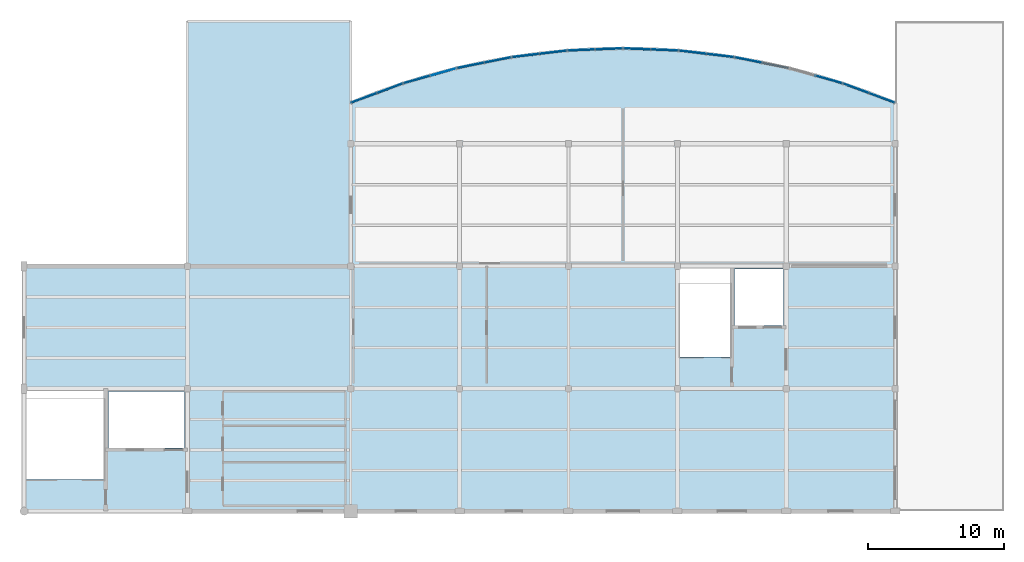
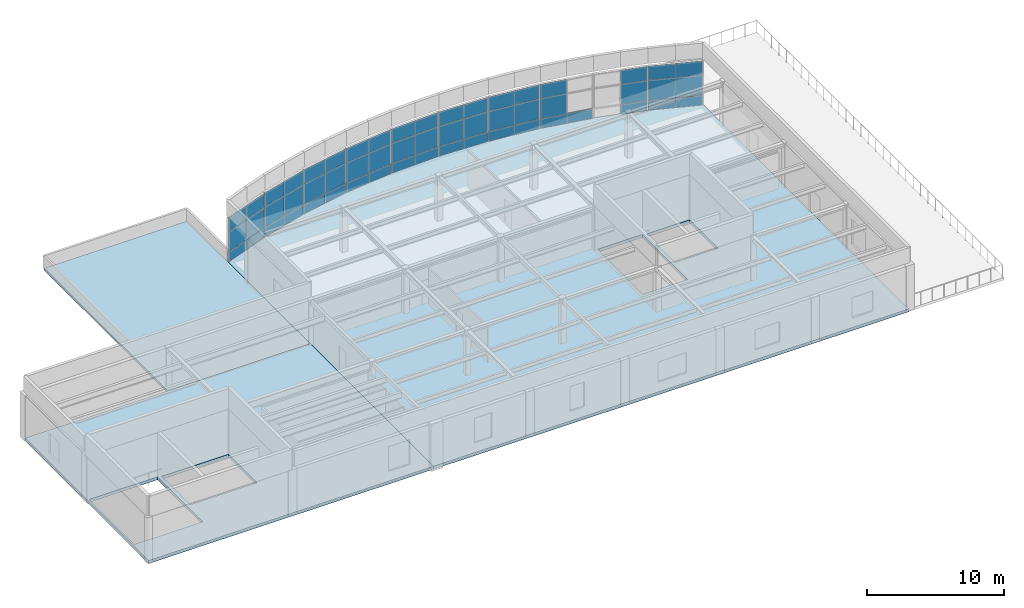
# One storey, part 5 of 9: 55 plates, 3 slabs, 10 elements without a shape of their own.
"""IFC4 building model written with IfcOpenShell, lengths in metres."""

from ifc_helpers import new_model, si_unit, direction, frame, origin, origin_2d, place, context, subcontext, project, spatial, polyline, rectangle, outline, extrude, material, layer, layer_set, type_object, element, aggregate, save


model = new_model("IFC4")

# Units and contexts
model_context = context("Model", 3, precision=1e-05, world=origin(), true_north=direction((0.0, 1.0)))
body_context = subcontext(model_context, "Body", "Model", "MODEL_VIEW")
ifc_project = project(units=[si_unit("LENGTHUNIT", "METRE"), si_unit("AREAUNIT", "SQUARE_METRE"), si_unit("VOLUMEUNIT", "CUBIC_METRE"), si_unit("PLANEANGLEUNIT", "RADIAN"), si_unit("MASSUNIT", "GRAM", prefix="KILO")], contexts=[model_context])

# Site, building, storey
site_placement = place(None, origin())
site = spatial("IfcSite", under=ifc_project, at=site_placement, CompositionType="ELEMENT")
building_placement = place(site_placement, origin())
building = spatial("IfcBuilding", under=site, at=building_placement, Name="Keelwater Ferry Terminal", CompositionType="ELEMENT")
storey_placement = place(building_placement, frame((0.0, 0.0, 23.699951171875)))
storey = spatial("IfcBuildingStorey", under=building, at=storey_placement, Name="L05", CompositionType="ELEMENT", Elevation=23.699951171875)

# Curtain wall, plates
ifc_material_1 = material(Name="Thermally broken unitised aluminium and triple glass", Category="aluminium")
ifc_layer_1 = layer(ifc_material_1, 0.179931640625)
ifc_layer_set_1 = layer_set([ifc_layer_1], Name="Thermally broken unitised aluminium and triple glass")
curtain_wall_type = type_object("IfcCurtainWallType", Name="CW-24 Unitised Curtain Wall 4015x3900", PredefinedType="USERDEFINED", material=ifc_layer_set_1)
curtain_wall_1_placement = place(storey_placement, origin())
curtain_wall_1 = element("IfcCurtainWall", 1, at=curtain_wall_1_placement, inside=storey, type_object=curtain_wall_type, Name="Unitised Curtain Wall CW-L05-223", ObjectType="UNITISED CURTAIN WALL", PredefinedType="USERDEFINED")
ifc_material_2 = material(Name="Insulated terracotta shadow-box spandrel", Category="masonry")
ifc_layer_2 = layer(ifc_material_2, 0.110107421875)
ifc_layer_set_2 = layer_set([ifc_layer_2], Name="Insulated terracotta shadow-box spandrel")
plate_type_1 = type_object("IfcPlateType", Name="CWP-S3 Insulated Spandrel Panel 110", PredefinedType="CURTAIN_PANEL", material=ifc_layer_set_2)
plate_1_placement = place(storey_placement, frame((171.01708984375, 120.364990234375, 0.0), z_axis=(0.0, 0.0, 1.0), x_axis=(-0.937592418253, 0.347736189136, 0.0)))
plate_1 = element("IfcPlate", 2, at=plate_1_placement, type_object=plate_type_1, Name="CW-L05-223 Panel 1.1", PredefinedType="CURTAIN_PANEL", context=body_context, shape_type="SweptSolid", body=[
    extrude(rectangle(XDim=2.00732421875, YDim=0.110107421875, at=origin_2d()), origin(), (0.0, 0.0, 1.0), 0.85009765625),
])
plate_2_placement = place(storey_placement, frame((169.135009765625, 121.06298828125, 0.0), z_axis=(0.0, 0.0, 1.0), x_axis=(-0.937592418253, 0.347736189136, 0.0)))
plate_2 = element("IfcPlate", 3, at=plate_2_placement, type_object=plate_type_1, Name="CW-L05-223 Panel 2.1", PredefinedType="CURTAIN_PANEL", context=body_context, shape_type="SweptSolid", body=[
    extrude(rectangle(XDim=2.00732421875, YDim=0.110107421875, at=origin_2d()), origin(), (0.0, 0.0, 1.0), 0.85009765625),
])

# Curtain wall, plate
curtain_wall_2_placement = place(storey_placement, origin())
curtain_wall_2 = element("IfcCurtainWall", 4, at=curtain_wall_2_placement, inside=storey, type_object=curtain_wall_type, Name="Unitised Curtain Wall CW-L05-224", ObjectType="UNITISED CURTAIN WALL", PredefinedType="USERDEFINED")
plate_3_placement = place(storey_placement, frame((167.143310546875, 121.714111328125, 0.0), z_axis=(0.0, 0.0, 1.0), x_axis=(-0.962029778706, 0.272944508797, 0.0)))
plate_3 = element("IfcPlate", 5, at=plate_3_placement, type_object=plate_type_1, Name="CW-L05-224 Panel 1.1", PredefinedType="CURTAIN_PANEL", context=body_context, shape_type="SweptSolid", body=[
    extrude(rectangle(XDim=2.0078125, YDim=0.110107421875, at=origin_2d()), origin(), (0.0, 0.0, 1.0), 0.85009765625),
])

# Curtain wall, plates
curtain_wall_3_placement = place(storey_placement, origin())
curtain_wall_3 = element("IfcCurtainWall", 6, at=curtain_wall_3_placement, inside=storey, type_object=curtain_wall_type, Name="Unitised Curtain Wall CW-L05-225", ObjectType="UNITISED CURTAIN WALL", PredefinedType="USERDEFINED")
plate_4_placement = place(storey_placement, frame((163.1748046875, 122.753662109375, 0.0), z_axis=(0.0, 0.0, 1.0), x_axis=(-0.98059983046, 0.196020336958, 0.0)))
plate_4 = element("IfcPlate", 7, at=plate_4_placement, type_object=plate_type_1, Name="CW-L05-225 Panel 1.1", PredefinedType="CURTAIN_PANEL", context=body_context, shape_type="SweptSolid", body=[
    extrude(rectangle(XDim=2.00732421875, YDim=0.110107421875, at=origin_2d()), origin(), (0.0, 0.0, 1.0), 0.85009765625),
])
plate_5_placement = place(storey_placement, frame((161.206298828125, 123.147216796875, 0.0), z_axis=(0.0, 0.0, 1.0), x_axis=(-0.98059983046, 0.196020336958, 0.0)))
plate_5 = element("IfcPlate", 8, at=plate_5_placement, type_object=plate_type_1, Name="CW-L05-225 Panel 2.1", PredefinedType="CURTAIN_PANEL", context=body_context, shape_type="SweptSolid", body=[
    extrude(rectangle(XDim=2.00732421875, YDim=0.110107421875, at=origin_2d()), origin(), (0.0, 0.0, 1.0), 0.85009765625),
])

curtain_wall_4_placement = place(storey_placement, origin())
curtain_wall_4 = element("IfcCurtainWall", 9, at=curtain_wall_4_placement, inside=storey, type_object=curtain_wall_type, Name="Unitised Curtain Wall CW-L05-226", ObjectType="UNITISED CURTAIN WALL", PredefinedType="USERDEFINED")
plate_6_placement = place(storey_placement, frame((159.136474609375, 123.476806640625, 0.0), z_axis=(0.0, 0.0, 1.0), x_axis=(-0.992974342459, 0.118329857676, 0.0)))
plate_6 = element("IfcPlate", 10, at=plate_6_placement, type_object=plate_type_1, Name="CW-L05-226 Panel 1.1", PredefinedType="CURTAIN_PANEL", context=body_context, shape_type="SweptSolid", body=[
    extrude(rectangle(XDim=2.007080078125, YDim=0.110107421875, at=origin_2d()), origin(), (0.0, 0.0, 1.0), 0.85009765625),
])
plate_7_placement = place(storey_placement, frame((157.1435546875, 123.71435546875, 0.0), z_axis=(0.0, 0.0, 1.0), x_axis=(-0.992974342459, 0.118329857676, 0.0)))
plate_7 = element("IfcPlate", 11, at=plate_7_placement, type_object=plate_type_1, Name="CW-L05-226 Panel 2.1", PredefinedType="CURTAIN_PANEL", context=body_context, shape_type="SweptSolid", body=[
    extrude(rectangle(XDim=2.007080078125, YDim=0.110107421875, at=origin_2d()), origin(), (0.0, 0.0, 1.0), 0.85009765625),
])

curtain_wall_5_placement = place(storey_placement, origin())
curtain_wall_5 = element("IfcCurtainWall", 12, at=curtain_wall_5_placement, inside=storey, type_object=curtain_wall_type, Name="Unitised Curtain Wall CW-L05-227", ObjectType="UNITISED CURTAIN WALL", PredefinedType="USERDEFINED")
plate_8_placement = place(storey_placement, frame((155.053955078125, 123.87939453125, 0.0), z_axis=(0.0, 0.0, 1.0), x_axis=(-0.999225435626, 0.039351350652, 0.0)))
plate_8 = element("IfcPlate", 13, at=plate_8_placement, type_object=plate_type_1, Name="CW-L05-227 Panel 1.1", PredefinedType="CURTAIN_PANEL", context=body_context, shape_type="SweptSolid", body=[
    extrude(rectangle(XDim=2.007568359375, YDim=0.110107421875, at=origin_2d()), origin(), (0.0, 0.0, 1.0), 0.85009765625),
])
plate_9_placement = place(storey_placement, frame((153.048095703125, 123.95849609375, 0.0), z_axis=(0.0, 0.0, 1.0), x_axis=(-0.999225435626, 0.039351350652, 0.0)))
plate_9 = element("IfcPlate", 14, at=plate_9_placement, type_object=plate_type_1, Name="CW-L05-227 Panel 2.1", PredefinedType="CURTAIN_PANEL", context=body_context, shape_type="SweptSolid", body=[
    extrude(rectangle(XDim=2.007568359375, YDim=0.110107421875, at=origin_2d()), origin(), (0.0, 0.0, 1.0), 0.85009765625),
])

curtain_wall_6_placement = place(storey_placement, origin())
curtain_wall_6 = element("IfcCurtainWall", 15, at=curtain_wall_6_placement, inside=storey, type_object=curtain_wall_type, Name="Unitised Curtain Wall CW-L05-228", ObjectType="UNITISED CURTAIN WALL", PredefinedType="USERDEFINED")
plate_10_placement = place(storey_placement, frame((150.951904296875, 123.95849609375, 0.0), z_axis=(0.0, 0.0, 1.0), x_axis=(-0.999225435626, -0.039351350652, 0.0)))
plate_10 = element("IfcPlate", 16, at=plate_10_placement, type_object=plate_type_1, Name="CW-L05-228 Panel 1.1", PredefinedType="CURTAIN_PANEL", context=body_context, shape_type="SweptSolid", body=[
    extrude(rectangle(XDim=2.007568359375, YDim=0.110107421875, at=origin_2d()), origin(), (0.0, 0.0, 1.0), 0.85009765625),
])
plate_11_placement = place(storey_placement, frame((148.946044921875, 123.87939453125, 0.0), z_axis=(0.0, 0.0, 1.0), x_axis=(-0.999225435626, -0.039351350652, 0.0)))
plate_11 = element("IfcPlate", 17, at=plate_11_placement, type_object=plate_type_1, Name="CW-L05-228 Panel 2.1", PredefinedType="CURTAIN_PANEL", context=body_context, shape_type="SweptSolid", body=[
    extrude(rectangle(XDim=2.007568359375, YDim=0.110107421875, at=origin_2d()), origin(), (0.0, 0.0, 1.0), 0.85009765625),
])

curtain_wall_7_placement = place(storey_placement, origin())
curtain_wall_7 = element("IfcCurtainWall", 18, at=curtain_wall_7_placement, inside=storey, type_object=curtain_wall_type, Name="Unitised Curtain Wall CW-L05-229", ObjectType="UNITISED CURTAIN WALL", PredefinedType="USERDEFINED")
plate_12_placement = place(storey_placement, frame((146.8564453125, 123.71435546875, 0.0), z_axis=(0.0, 0.0, 1.0), x_axis=(-0.992974342459, -0.118329857676, 0.0)))
plate_12 = element("IfcPlate", 19, at=plate_12_placement, type_object=plate_type_1, Name="CW-L05-229 Panel 1.1", PredefinedType="CURTAIN_PANEL", context=body_context, shape_type="SweptSolid", body=[
    extrude(rectangle(XDim=2.007080078125, YDim=0.110107421875, at=origin_2d()), origin(), (0.0, 0.0, 1.0), 0.85009765625),
])
plate_13_placement = place(storey_placement, frame((144.863525390625, 123.476806640625, 0.0), z_axis=(0.0, 0.0, 1.0), x_axis=(-0.992974342459, -0.118329857676, 0.0)))
plate_13 = element("IfcPlate", 20, at=plate_13_placement, type_object=plate_type_1, Name="CW-L05-229 Panel 2.1", PredefinedType="CURTAIN_PANEL", context=body_context, shape_type="SweptSolid", body=[
    extrude(rectangle(XDim=2.007080078125, YDim=0.110107421875, at=origin_2d()), origin(), (0.0, 0.0, 1.0), 0.85009765625),
])

curtain_wall_8_placement = place(storey_placement, origin())
curtain_wall_8 = element("IfcCurtainWall", 21, at=curtain_wall_8_placement, inside=storey, type_object=curtain_wall_type, Name="Unitised Curtain Wall CW-L05-230", ObjectType="UNITISED CURTAIN WALL", PredefinedType="USERDEFINED")
plate_14_placement = place(storey_placement, frame((142.793701171875, 123.147216796875, 0.0), z_axis=(0.0, 0.0, 1.0), x_axis=(-0.98059983046, -0.196020336958, 0.0)))
plate_14 = element("IfcPlate", 22, at=plate_14_placement, type_object=plate_type_1, Name="CW-L05-230 Panel 1.1", PredefinedType="CURTAIN_PANEL", context=body_context, shape_type="SweptSolid", body=[
    extrude(rectangle(XDim=2.00732421875, YDim=0.110107421875, at=origin_2d()), origin(), (0.0, 0.0, 1.0), 0.85009765625),
])
plate_15_placement = place(storey_placement, frame((140.8251953125, 122.753662109375, 0.0), z_axis=(0.0, 0.0, 1.0), x_axis=(-0.98059983046, -0.196020336958, 0.0)))
plate_15 = element("IfcPlate", 23, at=plate_15_placement, type_object=plate_type_1, Name="CW-L05-230 Panel 2.1", PredefinedType="CURTAIN_PANEL", context=body_context, shape_type="SweptSolid", body=[
    extrude(rectangle(XDim=2.00732421875, YDim=0.110107421875, at=origin_2d()), origin(), (0.0, 0.0, 1.0), 0.85009765625),
])

curtain_wall_9_placement = place(storey_placement, origin())
curtain_wall_9 = element("IfcCurtainWall", 24, at=curtain_wall_9_placement, inside=storey, type_object=curtain_wall_type, Name="Unitised Curtain Wall CW-L05-231", ObjectType="UNITISED CURTAIN WALL", PredefinedType="USERDEFINED")
plate_16_placement = place(storey_placement, frame((138.788330078125, 122.261962890625, 0.0), z_axis=(0.0, 0.0, 1.0), x_axis=(-0.962029778706, -0.272944508797, 0.0)))
plate_16 = element("IfcPlate", 25, at=plate_16_placement, type_object=plate_type_1, Name="CW-L05-231 Panel 1.1", PredefinedType="CURTAIN_PANEL", context=body_context, shape_type="SweptSolid", body=[
    extrude(rectangle(XDim=2.0078125, YDim=0.110107421875, at=origin_2d()), origin(), (0.0, 0.0, 1.0), 0.85009765625),
])
plate_17_placement = place(storey_placement, frame((136.856689453125, 121.714111328125, 0.0), z_axis=(0.0, 0.0, 1.0), x_axis=(-0.962029778706, -0.272944508797, 0.0)))
plate_17 = element("IfcPlate", 26, at=plate_17_placement, type_object=plate_type_1, Name="CW-L05-231 Panel 2.1", PredefinedType="CURTAIN_PANEL", context=body_context, shape_type="SweptSolid", body=[
    extrude(rectangle(XDim=2.0078125, YDim=0.110107421875, at=origin_2d()), origin(), (0.0, 0.0, 1.0), 0.85009765625),
])

curtain_wall_10_placement = place(storey_placement, origin())
curtain_wall_10 = element("IfcCurtainWall", 27, at=curtain_wall_10_placement, inside=storey, type_object=curtain_wall_type, Name="Unitised Curtain Wall CW-L05-232", ObjectType="UNITISED CURTAIN WALL", PredefinedType="USERDEFINED")
plate_18_placement = place(storey_placement, frame((134.864990234375, 121.06298828125, 0.0), z_axis=(0.0, 0.0, 1.0), x_axis=(-0.937592418253, -0.347736189136, 0.0)))
plate_18 = element("IfcPlate", 28, at=plate_18_placement, type_object=plate_type_1, Name="CW-L05-232 Panel 1.1", PredefinedType="CURTAIN_PANEL", context=body_context, shape_type="SweptSolid", body=[
    extrude(rectangle(XDim=2.00732421875, YDim=0.110107421875, at=origin_2d()), origin(), (0.0, 0.0, 1.0), 0.85009765625),
])
plate_19_placement = place(storey_placement, frame((132.98291015625, 120.364990234375, 0.0), z_axis=(0.0, 0.0, 1.0), x_axis=(-0.937592418253, -0.347736189136, 0.0)))
plate_19 = element("IfcPlate", 29, at=plate_19_placement, type_object=plate_type_1, Name="CW-L05-232 Panel 2.1", PredefinedType="CURTAIN_PANEL", context=body_context, shape_type="SweptSolid", body=[
    extrude(rectangle(XDim=2.00732421875, YDim=0.110107421875, at=origin_2d()), origin(), (0.0, 0.0, 1.0), 0.85009765625),
])

# Plate
ifc_material_3 = material(Name="Triple low-E laminated glass", Category="glass")
ifc_layer_3 = layer(ifc_material_3, 0.035888671875)
ifc_layer_set_3 = layer_set([ifc_layer_3], Name="Triple low-E laminated glass")
plate_type_2 = type_object("IfcPlateType", Name="CWP-V1 Glazed Vision Panel 36", PredefinedType="CURTAIN_PANEL", material=ifc_layer_set_3)
plate_20_placement = place(storey_placement, frame((171.01708984375, 120.364990234375, 0.85009765625), z_axis=(0.0, 0.0, 1.0), x_axis=(-0.937592418253, 0.347736189136, 0.0)))
plate_20 = element("IfcPlate", 30, at=plate_20_placement, type_object=plate_type_2, Name="CW-L05-223 Panel 1.2", PredefinedType="CURTAIN_PANEL", context=body_context, shape_type="SweptSolid", body=[
    extrude(rectangle(XDim=2.00732421875, YDim=0.035888671875, at=origin_2d()), origin(), (0.0, 0.0, 1.0), 1.800048828125),
])

plate_21_placement = place(storey_placement, frame((171.01708984375, 120.364990234375, 2.650146484375), z_axis=(0.0, 0.0, 1.0), x_axis=(-0.937592418253, 0.347736189136, 0.0)))
plate_21 = element("IfcPlate", 31, at=plate_21_placement, type_object=plate_type_2, Name="CW-L05-223 Panel 1.3", PredefinedType="CURTAIN_PANEL", context=body_context, shape_type="SweptSolid", body=[
    extrude(rectangle(XDim=2.00732421875, YDim=0.035888671875, at=origin_2d()), origin(), (0.0, 0.0, 1.0), 1.25),
])

plate_22_placement = place(storey_placement, frame((169.135009765625, 121.06298828125, 0.85009765625), z_axis=(0.0, 0.0, 1.0), x_axis=(-0.937592418253, 0.347736189136, 0.0)))
plate_22 = element("IfcPlate", 32, at=plate_22_placement, type_object=plate_type_2, Name="CW-L05-223 Panel 2.2", PredefinedType="CURTAIN_PANEL", context=body_context, shape_type="SweptSolid", body=[
    extrude(rectangle(XDim=2.00732421875, YDim=0.035888671875, at=origin_2d()), origin(), (0.0, 0.0, 1.0), 1.800048828125),
])

plate_23_placement = place(storey_placement, frame((169.135009765625, 121.06298828125, 2.650146484375), z_axis=(0.0, 0.0, 1.0), x_axis=(-0.937592418253, 0.347736189136, 0.0)))
plate_23 = element("IfcPlate", 33, at=plate_23_placement, type_object=plate_type_2, Name="CW-L05-223 Panel 2.3", PredefinedType="CURTAIN_PANEL", context=body_context, shape_type="SweptSolid", body=[
    extrude(rectangle(XDim=2.00732421875, YDim=0.035888671875, at=origin_2d()), origin(), (0.0, 0.0, 1.0), 1.25),
])

aggregate(curtain_wall_1, [plate_1, plate_20, plate_21, plate_2, plate_22, plate_23])

plate_24_placement = place(storey_placement, frame((167.143310546875, 121.714111328125, 0.85009765625), z_axis=(0.0, 0.0, 1.0), x_axis=(-0.962029778706, 0.272944508797, 0.0)))
plate_24 = element("IfcPlate", 34, at=plate_24_placement, type_object=plate_type_2, Name="CW-L05-224 Panel 1.2", PredefinedType="CURTAIN_PANEL", context=body_context, shape_type="SweptSolid", body=[
    extrude(rectangle(XDim=2.0078125, YDim=0.035888671875, at=origin_2d()), origin(), (0.0, 0.0, 1.0), 1.800048828125),
])

plate_25_placement = place(storey_placement, frame((167.143310546875, 121.714111328125, 2.650146484375), z_axis=(0.0, 0.0, 1.0), x_axis=(-0.962029778706, 0.272944508797, 0.0)))
plate_25 = element("IfcPlate", 35, at=plate_25_placement, type_object=plate_type_2, Name="CW-L05-224 Panel 1.3", PredefinedType="CURTAIN_PANEL", context=body_context, shape_type="SweptSolid", body=[
    extrude(rectangle(XDim=2.0078125, YDim=0.035888671875, at=origin_2d()), origin(), (0.0, 0.0, 1.0), 1.25),
])

aggregate(curtain_wall_2, [plate_3, plate_24, plate_25])

plate_26_placement = place(storey_placement, frame((161.206298828125, 123.147216796875, 0.85009765625), z_axis=(0.0, 0.0, 1.0), x_axis=(-0.98059983046, 0.196020336958, 0.0)))
plate_26 = element("IfcPlate", 36, at=plate_26_placement, type_object=plate_type_2, Name="CW-L05-225 Panel 2.2", PredefinedType="CURTAIN_PANEL", context=body_context, shape_type="SweptSolid", body=[
    extrude(rectangle(XDim=2.00732421875, YDim=0.035888671875, at=origin_2d()), origin(), (0.0, 0.0, 1.0), 1.800048828125),
])

plate_27_placement = place(storey_placement, frame((161.206298828125, 123.147216796875, 2.650146484375), z_axis=(0.0, 0.0, 1.0), x_axis=(-0.98059983046, 0.196020336958, 0.0)))
plate_27 = element("IfcPlate", 37, at=plate_27_placement, type_object=plate_type_2, Name="CW-L05-225 Panel 2.3", PredefinedType="CURTAIN_PANEL", context=body_context, shape_type="SweptSolid", body=[
    extrude(rectangle(XDim=2.00732421875, YDim=0.035888671875, at=origin_2d()), origin(), (0.0, 0.0, 1.0), 1.25),
])

aggregate(curtain_wall_3, [plate_4, plate_5, plate_26, plate_27])

plate_28_placement = place(storey_placement, frame((159.136474609375, 123.476806640625, 0.85009765625), z_axis=(0.0, 0.0, 1.0), x_axis=(-0.992974342459, 0.118329857676, 0.0)))
plate_28 = element("IfcPlate", 38, at=plate_28_placement, type_object=plate_type_2, Name="CW-L05-226 Panel 1.2", PredefinedType="CURTAIN_PANEL", context=body_context, shape_type="SweptSolid", body=[
    extrude(rectangle(XDim=2.007080078125, YDim=0.035888671875, at=origin_2d()), origin(), (0.0, 0.0, 1.0), 1.800048828125),
])

plate_29_placement = place(storey_placement, frame((159.136474609375, 123.476806640625, 2.650146484375), z_axis=(0.0, 0.0, 1.0), x_axis=(-0.992974342459, 0.118329857676, 0.0)))
plate_29 = element("IfcPlate", 39, at=plate_29_placement, type_object=plate_type_2, Name="CW-L05-226 Panel 1.3", PredefinedType="CURTAIN_PANEL", context=body_context, shape_type="SweptSolid", body=[
    extrude(rectangle(XDim=2.007080078125, YDim=0.035888671875, at=origin_2d()), origin(), (0.0, 0.0, 1.0), 1.25),
])

plate_30_placement = place(storey_placement, frame((157.1435546875, 123.71435546875, 0.85009765625), z_axis=(0.0, 0.0, 1.0), x_axis=(-0.992974342459, 0.118329857676, 0.0)))
plate_30 = element("IfcPlate", 40, at=plate_30_placement, type_object=plate_type_2, Name="CW-L05-226 Panel 2.2", PredefinedType="CURTAIN_PANEL", context=body_context, shape_type="SweptSolid", body=[
    extrude(rectangle(XDim=2.007080078125, YDim=0.035888671875, at=origin_2d()), origin(), (0.0, 0.0, 1.0), 1.800048828125),
])

plate_31_placement = place(storey_placement, frame((157.1435546875, 123.71435546875, 2.650146484375), z_axis=(0.0, 0.0, 1.0), x_axis=(-0.992974342459, 0.118329857676, 0.0)))
plate_31 = element("IfcPlate", 41, at=plate_31_placement, type_object=plate_type_2, Name="CW-L05-226 Panel 2.3", PredefinedType="CURTAIN_PANEL", context=body_context, shape_type="SweptSolid", body=[
    extrude(rectangle(XDim=2.007080078125, YDim=0.035888671875, at=origin_2d()), origin(), (0.0, 0.0, 1.0), 1.25),
])

aggregate(curtain_wall_4, [plate_6, plate_28, plate_29, plate_7, plate_30, plate_31])

plate_32_placement = place(storey_placement, frame((155.053955078125, 123.87939453125, 0.85009765625), z_axis=(0.0, 0.0, 1.0), x_axis=(-0.999225435626, 0.039351350652, 0.0)))
plate_32 = element("IfcPlate", 42, at=plate_32_placement, type_object=plate_type_2, Name="CW-L05-227 Panel 1.2", PredefinedType="CURTAIN_PANEL", context=body_context, shape_type="SweptSolid", body=[
    extrude(rectangle(XDim=2.007568359375, YDim=0.035888671875, at=origin_2d()), origin(), (0.0, 0.0, 1.0), 1.800048828125),
])

plate_33_placement = place(storey_placement, frame((155.053955078125, 123.87939453125, 2.650146484375), z_axis=(0.0, 0.0, 1.0), x_axis=(-0.999225435626, 0.039351350652, 0.0)))
plate_33 = element("IfcPlate", 43, at=plate_33_placement, type_object=plate_type_2, Name="CW-L05-227 Panel 1.3", PredefinedType="CURTAIN_PANEL", context=body_context, shape_type="SweptSolid", body=[
    extrude(rectangle(XDim=2.007568359375, YDim=0.035888671875, at=origin_2d()), origin(), (0.0, 0.0, 1.0), 1.25),
])

plate_34_placement = place(storey_placement, frame((153.048095703125, 123.95849609375, 0.85009765625), z_axis=(0.0, 0.0, 1.0), x_axis=(-0.999225435626, 0.039351350652, 0.0)))
plate_34 = element("IfcPlate", 44, at=plate_34_placement, type_object=plate_type_2, Name="CW-L05-227 Panel 2.2", PredefinedType="CURTAIN_PANEL", context=body_context, shape_type="SweptSolid", body=[
    extrude(rectangle(XDim=2.007568359375, YDim=0.035888671875, at=origin_2d()), origin(), (0.0, 0.0, 1.0), 1.800048828125),
])

plate_35_placement = place(storey_placement, frame((153.048095703125, 123.95849609375, 2.650146484375), z_axis=(0.0, 0.0, 1.0), x_axis=(-0.999225435626, 0.039351350652, 0.0)))
plate_35 = element("IfcPlate", 45, at=plate_35_placement, type_object=plate_type_2, Name="CW-L05-227 Panel 2.3", PredefinedType="CURTAIN_PANEL", context=body_context, shape_type="SweptSolid", body=[
    extrude(rectangle(XDim=2.007568359375, YDim=0.035888671875, at=origin_2d()), origin(), (0.0, 0.0, 1.0), 1.25),
])

aggregate(curtain_wall_5, [plate_8, plate_32, plate_33, plate_9, plate_34, plate_35])

plate_36_placement = place(storey_placement, frame((150.951904296875, 123.95849609375, 0.85009765625), z_axis=(0.0, 0.0, 1.0), x_axis=(-0.999225435626, -0.039351350652, 0.0)))
plate_36 = element("IfcPlate", 46, at=plate_36_placement, type_object=plate_type_2, Name="CW-L05-228 Panel 1.2", PredefinedType="CURTAIN_PANEL", context=body_context, shape_type="SweptSolid", body=[
    extrude(rectangle(XDim=2.007568359375, YDim=0.035888671875, at=origin_2d()), origin(), (0.0, 0.0, 1.0), 1.800048828125),
])

plate_37_placement = place(storey_placement, frame((150.951904296875, 123.95849609375, 2.650146484375), z_axis=(0.0, 0.0, 1.0), x_axis=(-0.999225435626, -0.039351350652, 0.0)))
plate_37 = element("IfcPlate", 47, at=plate_37_placement, type_object=plate_type_2, Name="CW-L05-228 Panel 1.3", PredefinedType="CURTAIN_PANEL", context=body_context, shape_type="SweptSolid", body=[
    extrude(rectangle(XDim=2.007568359375, YDim=0.035888671875, at=origin_2d()), origin(), (0.0, 0.0, 1.0), 1.25),
])

plate_38_placement = place(storey_placement, frame((148.946044921875, 123.87939453125, 0.85009765625), z_axis=(0.0, 0.0, 1.0), x_axis=(-0.999225435626, -0.039351350652, 0.0)))
plate_38 = element("IfcPlate", 48, at=plate_38_placement, type_object=plate_type_2, Name="CW-L05-228 Panel 2.2", PredefinedType="CURTAIN_PANEL", context=body_context, shape_type="SweptSolid", body=[
    extrude(rectangle(XDim=2.007568359375, YDim=0.035888671875, at=origin_2d()), origin(), (0.0, 0.0, 1.0), 1.800048828125),
])

plate_39_placement = place(storey_placement, frame((148.946044921875, 123.87939453125, 2.650146484375), z_axis=(0.0, 0.0, 1.0), x_axis=(-0.999225435626, -0.039351350652, 0.0)))
plate_39 = element("IfcPlate", 49, at=plate_39_placement, type_object=plate_type_2, Name="CW-L05-228 Panel 2.3", PredefinedType="CURTAIN_PANEL", context=body_context, shape_type="SweptSolid", body=[
    extrude(rectangle(XDim=2.007568359375, YDim=0.035888671875, at=origin_2d()), origin(), (0.0, 0.0, 1.0), 1.25),
])

aggregate(curtain_wall_6, [plate_10, plate_36, plate_37, plate_11, plate_38, plate_39])

plate_40_placement = place(storey_placement, frame((146.8564453125, 123.71435546875, 0.85009765625), z_axis=(0.0, 0.0, 1.0), x_axis=(-0.992974342459, -0.118329857676, 0.0)))
plate_40 = element("IfcPlate", 50, at=plate_40_placement, type_object=plate_type_2, Name="CW-L05-229 Panel 1.2", PredefinedType="CURTAIN_PANEL", context=body_context, shape_type="SweptSolid", body=[
    extrude(rectangle(XDim=2.007080078125, YDim=0.035888671875, at=origin_2d()), origin(), (0.0, 0.0, 1.0), 1.800048828125),
])

plate_41_placement = place(storey_placement, frame((146.8564453125, 123.71435546875, 2.650146484375), z_axis=(0.0, 0.0, 1.0), x_axis=(-0.992974342459, -0.118329857676, 0.0)))
plate_41 = element("IfcPlate", 51, at=plate_41_placement, type_object=plate_type_2, Name="CW-L05-229 Panel 1.3", PredefinedType="CURTAIN_PANEL", context=body_context, shape_type="SweptSolid", body=[
    extrude(rectangle(XDim=2.007080078125, YDim=0.035888671875, at=origin_2d()), origin(), (0.0, 0.0, 1.0), 1.25),
])

plate_42_placement = place(storey_placement, frame((144.863525390625, 123.476806640625, 0.85009765625), z_axis=(0.0, 0.0, 1.0), x_axis=(-0.992974342459, -0.118329857676, 0.0)))
plate_42 = element("IfcPlate", 52, at=plate_42_placement, type_object=plate_type_2, Name="CW-L05-229 Panel 2.2", PredefinedType="CURTAIN_PANEL", context=body_context, shape_type="SweptSolid", body=[
    extrude(rectangle(XDim=2.007080078125, YDim=0.035888671875, at=origin_2d()), origin(), (0.0, 0.0, 1.0), 1.800048828125),
])

plate_43_placement = place(storey_placement, frame((144.863525390625, 123.476806640625, 2.650146484375), z_axis=(0.0, 0.0, 1.0), x_axis=(-0.992974342459, -0.118329857676, 0.0)))
plate_43 = element("IfcPlate", 53, at=plate_43_placement, type_object=plate_type_2, Name="CW-L05-229 Panel 2.3", PredefinedType="CURTAIN_PANEL", context=body_context, shape_type="SweptSolid", body=[
    extrude(rectangle(XDim=2.007080078125, YDim=0.035888671875, at=origin_2d()), origin(), (0.0, 0.0, 1.0), 1.25),
])

aggregate(curtain_wall_7, [plate_12, plate_40, plate_41, plate_13, plate_42, plate_43])

plate_44_placement = place(storey_placement, frame((142.793701171875, 123.147216796875, 0.85009765625), z_axis=(0.0, 0.0, 1.0), x_axis=(-0.98059983046, -0.196020336958, 0.0)))
plate_44 = element("IfcPlate", 54, at=plate_44_placement, type_object=plate_type_2, Name="CW-L05-230 Panel 1.2", PredefinedType="CURTAIN_PANEL", context=body_context, shape_type="SweptSolid", body=[
    extrude(rectangle(XDim=2.00732421875, YDim=0.035888671875, at=origin_2d()), origin(), (0.0, 0.0, 1.0), 1.800048828125),
])

plate_45_placement = place(storey_placement, frame((142.793701171875, 123.147216796875, 2.650146484375), z_axis=(0.0, 0.0, 1.0), x_axis=(-0.98059983046, -0.196020336958, 0.0)))
plate_45 = element("IfcPlate", 55, at=plate_45_placement, type_object=plate_type_2, Name="CW-L05-230 Panel 1.3", PredefinedType="CURTAIN_PANEL", context=body_context, shape_type="SweptSolid", body=[
    extrude(rectangle(XDim=2.00732421875, YDim=0.035888671875, at=origin_2d()), origin(), (0.0, 0.0, 1.0), 1.25),
])

plate_46_placement = place(storey_placement, frame((140.8251953125, 122.753662109375, 0.85009765625), z_axis=(0.0, 0.0, 1.0), x_axis=(-0.98059983046, -0.196020336958, 0.0)))
plate_46 = element("IfcPlate", 56, at=plate_46_placement, type_object=plate_type_2, Name="CW-L05-230 Panel 2.2", PredefinedType="CURTAIN_PANEL", context=body_context, shape_type="SweptSolid", body=[
    extrude(rectangle(XDim=2.00732421875, YDim=0.035888671875, at=origin_2d()), origin(), (0.0, 0.0, 1.0), 1.800048828125),
])

plate_47_placement = place(storey_placement, frame((140.8251953125, 122.753662109375, 2.650146484375), z_axis=(0.0, 0.0, 1.0), x_axis=(-0.98059983046, -0.196020336958, 0.0)))
plate_47 = element("IfcPlate", 57, at=plate_47_placement, type_object=plate_type_2, Name="CW-L05-230 Panel 2.3", PredefinedType="CURTAIN_PANEL", context=body_context, shape_type="SweptSolid", body=[
    extrude(rectangle(XDim=2.00732421875, YDim=0.035888671875, at=origin_2d()), origin(), (0.0, 0.0, 1.0), 1.25),
])

aggregate(curtain_wall_8, [plate_14, plate_44, plate_45, plate_15, plate_46, plate_47])

plate_48_placement = place(storey_placement, frame((138.788330078125, 122.261962890625, 0.85009765625), z_axis=(0.0, 0.0, 1.0), x_axis=(-0.962029778706, -0.272944508797, 0.0)))
plate_48 = element("IfcPlate", 58, at=plate_48_placement, type_object=plate_type_2, Name="CW-L05-231 Panel 1.2", PredefinedType="CURTAIN_PANEL", context=body_context, shape_type="SweptSolid", body=[
    extrude(rectangle(XDim=2.0078125, YDim=0.035888671875, at=origin_2d()), origin(), (0.0, 0.0, 1.0), 1.800048828125),
])

plate_49_placement = place(storey_placement, frame((138.788330078125, 122.261962890625, 2.650146484375), z_axis=(0.0, 0.0, 1.0), x_axis=(-0.962029778706, -0.272944508797, 0.0)))
plate_49 = element("IfcPlate", 59, at=plate_49_placement, type_object=plate_type_2, Name="CW-L05-231 Panel 1.3", PredefinedType="CURTAIN_PANEL", context=body_context, shape_type="SweptSolid", body=[
    extrude(rectangle(XDim=2.0078125, YDim=0.035888671875, at=origin_2d()), origin(), (0.0, 0.0, 1.0), 1.25),
])

plate_50_placement = place(storey_placement, frame((136.856689453125, 121.714111328125, 0.85009765625), z_axis=(0.0, 0.0, 1.0), x_axis=(-0.962029778706, -0.272944508797, 0.0)))
plate_50 = element("IfcPlate", 60, at=plate_50_placement, type_object=plate_type_2, Name="CW-L05-231 Panel 2.2", PredefinedType="CURTAIN_PANEL", context=body_context, shape_type="SweptSolid", body=[
    extrude(rectangle(XDim=2.0078125, YDim=0.035888671875, at=origin_2d()), origin(), (0.0, 0.0, 1.0), 1.800048828125),
])

plate_51_placement = place(storey_placement, frame((136.856689453125, 121.714111328125, 2.650146484375), z_axis=(0.0, 0.0, 1.0), x_axis=(-0.962029778706, -0.272944508797, 0.0)))
plate_51 = element("IfcPlate", 61, at=plate_51_placement, type_object=plate_type_2, Name="CW-L05-231 Panel 2.3", PredefinedType="CURTAIN_PANEL", context=body_context, shape_type="SweptSolid", body=[
    extrude(rectangle(XDim=2.0078125, YDim=0.035888671875, at=origin_2d()), origin(), (0.0, 0.0, 1.0), 1.25),
])

aggregate(curtain_wall_9, [plate_16, plate_48, plate_49, plate_17, plate_50, plate_51])

plate_52_placement = place(storey_placement, frame((134.864990234375, 121.06298828125, 0.85009765625), z_axis=(0.0, 0.0, 1.0), x_axis=(-0.937592418253, -0.347736189136, 0.0)))
plate_52 = element("IfcPlate", 62, at=plate_52_placement, type_object=plate_type_2, Name="CW-L05-232 Panel 1.2", PredefinedType="CURTAIN_PANEL", context=body_context, shape_type="SweptSolid", body=[
    extrude(rectangle(XDim=2.00732421875, YDim=0.035888671875, at=origin_2d()), origin(), (0.0, 0.0, 1.0), 1.800048828125),
])

plate_53_placement = place(storey_placement, frame((134.864990234375, 121.06298828125, 2.650146484375), z_axis=(0.0, 0.0, 1.0), x_axis=(-0.937592418253, -0.347736189136, 0.0)))
plate_53 = element("IfcPlate", 63, at=plate_53_placement, type_object=plate_type_2, Name="CW-L05-232 Panel 1.3", PredefinedType="CURTAIN_PANEL", context=body_context, shape_type="SweptSolid", body=[
    extrude(rectangle(XDim=2.00732421875, YDim=0.035888671875, at=origin_2d()), origin(), (0.0, 0.0, 1.0), 1.25),
])

plate_54_placement = place(storey_placement, frame((132.98291015625, 120.364990234375, 0.85009765625), z_axis=(0.0, 0.0, 1.0), x_axis=(-0.937592418253, -0.347736189136, 0.0)))
plate_54 = element("IfcPlate", 64, at=plate_54_placement, type_object=plate_type_2, Name="CW-L05-232 Panel 2.2", PredefinedType="CURTAIN_PANEL", context=body_context, shape_type="SweptSolid", body=[
    extrude(rectangle(XDim=2.00732421875, YDim=0.035888671875, at=origin_2d()), origin(), (0.0, 0.0, 1.0), 1.800048828125),
])

plate_55_placement = place(storey_placement, frame((132.98291015625, 120.364990234375, 2.650146484375), z_axis=(0.0, 0.0, 1.0), x_axis=(-0.937592418253, -0.347736189136, 0.0)))
plate_55 = element("IfcPlate", 65, at=plate_55_placement, type_object=plate_type_2, Name="CW-L05-232 Panel 2.3", PredefinedType="CURTAIN_PANEL", context=body_context, shape_type="SweptSolid", body=[
    extrude(rectangle(XDim=2.00732421875, YDim=0.035888671875, at=origin_2d()), origin(), (0.0, 0.0, 1.0), 1.25),
])

aggregate(curtain_wall_10, [plate_18, plate_52, plate_53, plate_19, plate_54, plate_55])

# Slabs
ifc_material_4 = material(Name="Concrete C40/50", Category="concrete")
ifc_layer_4 = layer(ifc_material_4, 0.260009765625)
ifc_layer_set_4 = layer_set([ifc_layer_4], Name="Concrete C40/50")
slab_type_1 = type_object("IfcSlabType", Name="SL-F260 Suspended Floor Slab 260", PredefinedType="FLOOR", material=ifc_layer_set_4)
slab_1_placement = place(storey_placement, frame((0.0, 0.0, -0.260009765625)))
element("IfcSlab", 66, at=slab_1_placement, inside=storey, type_object=slab_type_1, Name="V5 West Harbour Master Floor Slab SL-L05-054", PredefinedType="FLOOR", context=body_context, shape_type="SweptSolid", body=[
    extrude(outline(polyline([(108.0, 90.0), (132.0, 90.0), (132.0, 108.0), (108.0, 108.0), (108.0, 90.0)]), holes=[polyline([(108.14990234375, 92.320068359375), (113.89990234375, 92.320068359375), (113.89990234375, 98.89990234375), (108.14990234375, 98.89990234375), (108.14990234375, 92.320068359375)]), polyline([(114.199951171875, 94.64990234375), (119.800048828125, 94.64990234375), (119.800048828125, 98.800048828125), (114.199951171875, 98.800048828125), (114.199951171875, 94.64990234375)])]), origin(), (0.0, 0.0, 1.0), 0.260009765625),
])
slab_2_placement = place(storey_placement, frame((0.0, 0.0, -0.260009765625)))
element("IfcSlab", 67, at=slab_2_placement, inside=storey, type_object=slab_type_1, Name="V5 Harbour Master Crown Floor Slab SL-L05-055", PredefinedType="FLOOR", context=body_context, shape_type="SweptSolid", body=[
    extrude(outline(polyline([(132.0, 90.0), (172.0, 90.0), (172.0, 120.0), (170.090087890625, 120.751953125), (168.152099609375, 121.427978515625), (166.18798828125, 122.027099609375), (164.202880859375, 122.548095703125), (162.197998046875, 122.989990234375), (160.177978515625, 123.35302734375), (158.14404296875, 123.635986328125), (156.10205078125, 123.837890625), (154.052001953125, 123.958984375), (152.0, 124.0), (149.947998046875, 123.958984375), (147.89794921875, 123.837890625), (145.85595703125, 123.635986328125), (143.822021484375, 123.35302734375), (141.802001953125, 122.989990234375), (139.797119140625, 122.548095703125), (137.81201171875, 122.027099609375), (135.847900390625, 121.427978515625), (133.909912109375, 120.751953125), (132.0, 120.0), (132.0, 90.0)]), holes=[polyline([(156.14990234375, 101.320068359375), (159.89990234375, 101.320068359375), (159.89990234375, 107.89990234375), (156.14990234375, 107.89990234375), (156.14990234375, 101.320068359375)]), polyline([(160.199951171875, 103.64990234375), (163.800048828125, 103.64990234375), (163.800048828125, 107.800048828125), (160.199951171875, 107.800048828125), (160.199951171875, 103.64990234375)])]), origin(), (0.0, 0.0, 1.0), 0.260009765625),
])
ifc_material_5 = material(Name="Concrete C40/50", Category="concrete")
ifc_layer_5 = layer(ifc_material_5, 0.199951171875)
ifc_layer_set_5 = layer_set([ifc_layer_5], Name="Concrete C40/50")
slab_type_2 = type_object("IfcSlabType", Name="SL-R200 Roof Slab 200", PredefinedType="ROOF", material=ifc_layer_set_5)
slab_3_placement = place(storey_placement, frame((0.0, 0.0, -0.199951171875)))
element("IfcSlab", 68, at=slab_3_placement, inside=storey, type_object=slab_type_2, Name="V5 West Step Roof Slab SL-L05-057", PredefinedType="ROOF", context=body_context, shape_type="SweptSolid", body=[
    extrude(outline(polyline([(120.0, 108.0), (132.0, 108.0), (132.0, 126.0), (120.0, 126.0), (120.0, 108.0)])), origin(), (0.0, 0.0, 1.0), 0.199951171875),
])

save(model, "model.ifc")
